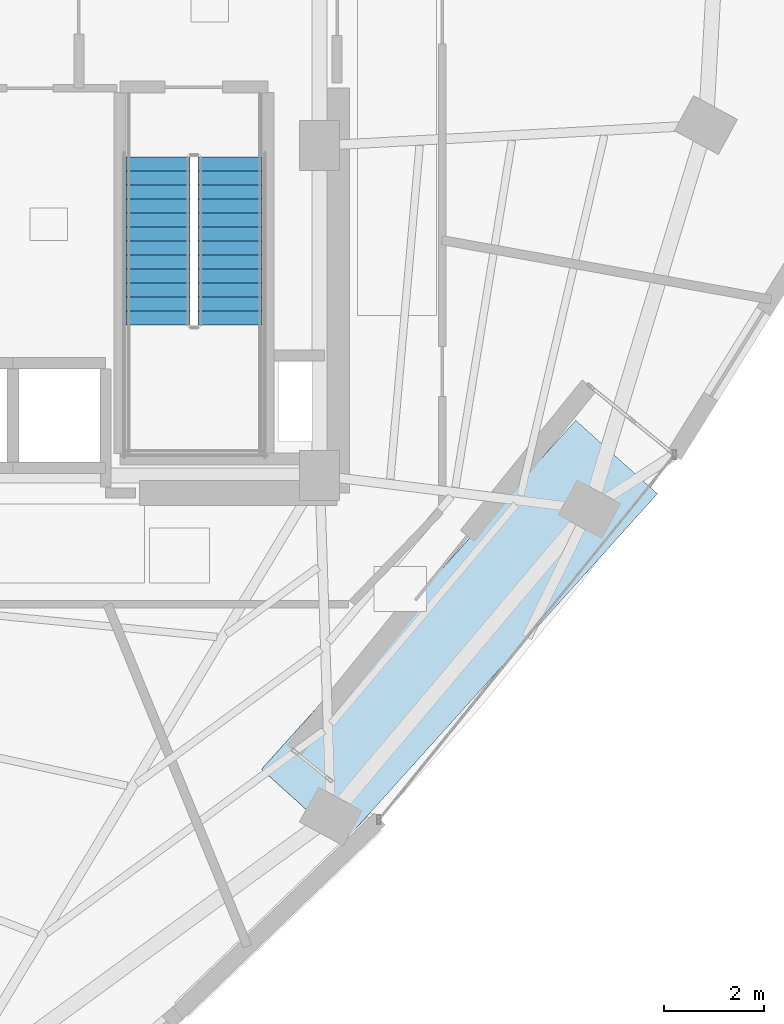
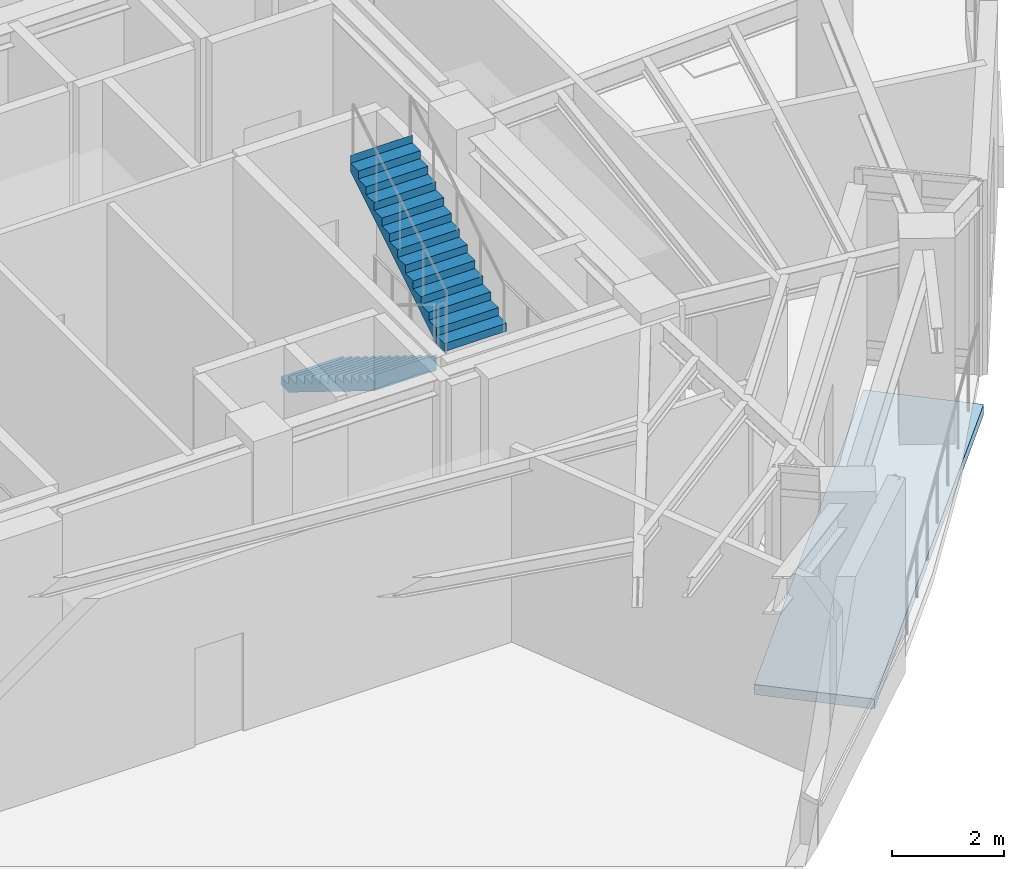
# One storey, part 11 of 14: 2 stair flights, 1 roof, 1 element without a shape of its own.
"""IFC4 building model written with IfcOpenShell, lengths in metres."""

from ifc_helpers import new_model, si_unit, direction, frame, origin, place, context, subcontext, project, spatial, polyline, outline, extrude, material, layer, layer_set, type_object, element, aggregate, save


model = new_model("IFC4")

# Units and contexts
model_context = context("Model", 3, precision=1e-05, world=origin(), true_north=direction((0.0, 1.0)))
body_context = subcontext(model_context, "Body", "Model", "MODEL_VIEW")
ifc_project = project(units=[si_unit("LENGTHUNIT", "METRE"), si_unit("AREAUNIT", "SQUARE_METRE"), si_unit("VOLUMEUNIT", "CUBIC_METRE"), si_unit("PLANEANGLEUNIT", "RADIAN"), si_unit("MASSUNIT", "GRAM", prefix="KILO")], contexts=[model_context])

# Site, building, storey
site_placement = place(None, origin())
site = spatial("IfcSite", under=ifc_project, at=site_placement, CompositionType="ELEMENT")
building_placement = place(site_placement, origin())
building = spatial("IfcBuilding", under=site, at=building_placement, Name="Ndelora Gate Hotel", CompositionType="ELEMENT")
storey_placement = place(building_placement, frame((0.0, 0.0, 178.25)))
storey = spatial("IfcBuildingStorey", under=building, at=storey_placement, Name="L44", CompositionType="ELEMENT", Elevation=178.25)

# Stair, stair flights
ifc_material_1 = material(Name="Precast concrete C40/50", Category="concrete")
stair_type = type_object("IfcStairType", Name="STR-DOG-CORE", PredefinedType="HALF_TURN_STAIR", material=ifc_material_1)
stair_placement = place(storey_placement, origin())
stair = element("IfcStair", 1, at=stair_placement, inside=storey, type_object=stair_type, Name="L44 Protected Core Exit Stair ST5", PredefinedType="HALF_TURN_STAIR")
stair_flight_type = type_object("IfcStairFlightType", Name="STF-PRECAST", PredefinedType="STRAIGHT", material=ifc_material_1)
stair_flight_1_placement = place(storey_placement, frame((4.77001953125, -0.22998046875, 0.0), z_axis=(0.0, 0.0, 1.0), x_axis=(0.0, -1.0, 0.0)))
stair_flight_1 = element("IfcStairFlight", 2, at=stair_flight_1_placement, type_object=stair_flight_type, Name="ST5 flight 1", NumberOfRisers=13, NumberOfTreads=12, PredefinedType="STRAIGHT", RiserHeight=0.173076923, TreadLength=0.28, context=body_context, shape_type="SweptSolid", body=[
    extrude(outline(polyline([(-0.00048828125, 0.0), (-0.00048828125, 0.173095703125), (0.0, 0.173095703125), (0.280029296875, 0.173095703125), (0.280029296875, 0.34619140625), (0.56005859375, 0.34619140625), (0.56005859375, 0.519287109375), (0.840087890625, 0.519287109375), (0.840087890625, 0.6923828125), (1.1201171875, 0.6923828125), (1.1201171875, 0.865478515625), (1.39990234375, 0.865478515625), (1.39990234375, 1.03857421875), (1.679931640625, 1.03857421875), (1.679931640625, 1.21142578125), (1.9599609375, 1.21142578125), (1.9599609375, 1.384521484375), (2.239990234375, 1.384521484375), (2.239990234375, 1.5576171875), (2.52001953125, 1.5576171875), (2.52001953125, 1.730712890625), (2.800048828125, 1.730712890625), (2.800048828125, 1.90380859375), (3.080078125, 1.90380859375), (3.080078125, 2.076904296875), (3.360107421875, 2.076904296875), (3.360107421875, 2.25), (3.360595703125, 2.25), (3.360595703125, 2.070068359375), (3.360107421875, 1.900634765625), (0.28515625, 0.0), (-0.00048828125, 0.0)])), frame((0.0, 0.64013671875, 0.0), z_axis=(0.0, -1.0, 0.0), x_axis=(1.0, 0.0, 0.0)), (0.0, 0.0, 1.0), 1.280029296875),
])
stair_flight_2_placement = place(storey_placement, frame((6.2099609375, -3.590087890625, 2.25), z_axis=(0.0, 0.0, 1.0), x_axis=(0.0, 1.0, 0.0)))
stair_flight_2 = element("IfcStairFlight", 3, at=stair_flight_2_placement, type_object=stair_flight_type, Name="ST5 flight 2", NumberOfRisers=13, NumberOfTreads=12, PredefinedType="STRAIGHT", RiserHeight=0.173076923, TreadLength=0.28, context=body_context, shape_type="SweptSolid", body=[
    extrude(outline(polyline([(-0.00048828125, 0.0), (-0.00048828125, 0.173095703125), (0.0, 0.173095703125), (0.280029296875, 0.173095703125), (0.280029296875, 0.34619140625), (0.56005859375, 0.34619140625), (0.56005859375, 0.519287109375), (0.840087890625, 0.519287109375), (0.840087890625, 0.6923828125), (1.1201171875, 0.6923828125), (1.1201171875, 0.865478515625), (1.39990234375, 0.865478515625), (1.39990234375, 1.03857421875), (1.679931640625, 1.03857421875), (1.679931640625, 1.21142578125), (1.9599609375, 1.21142578125), (1.9599609375, 1.384521484375), (2.239990234375, 1.384521484375), (2.239990234375, 1.5576171875), (2.52001953125, 1.5576171875), (2.52001953125, 1.730712890625), (2.800048828125, 1.730712890625), (2.800048828125, 1.90380859375), (3.080078125, 1.90380859375), (3.080078125, 2.076904296875), (3.360107421875, 2.076904296875), (3.360107421875, 2.25), (3.360595703125, 2.25), (3.360595703125, 2.070068359375), (3.360107421875, 1.900634765625), (0.28515625, 0.0), (-0.00048828125, 0.0)])), frame((0.0, 0.64013671875, 0.0), z_axis=(0.0, -1.0, 0.0), x_axis=(1.0, 0.0, 0.0)), (0.0, 0.0, 1.0), 1.280029296875),
])
aggregate(stair, [stair_flight_1, stair_flight_2])

# Roof
ifc_material_2 = material(Name="Architectural Bronze Clad Steel Canopy", Category="steel")
ifc_layer = layer(ifc_material_2, 0.219970703125)
ifc_layer_set = layer_set([ifc_layer], Name="Architectural Bronze Clad Steel Canopy")
roof_type = type_object("IfcRoofType", Name="RF-CANOPY-200", PredefinedType="PAVILION_ROOF", material=ifc_layer_set)
roof_placement = place(storey_placement, frame((0.0, 0.0, -0.2900390625)))
element("IfcRoof", 4, at=roof_placement, inside=storey, type_object=roof_type, Name="L44 Sky-Garden Feature Weather Canopy", PredefinedType="PAVILION_ROOF", context=body_context, shape_type="SweptSolid", body=[
    extrude(outline(polyline([(6.83544921875, -12.47900390625), (8.470458984375, -13.951171875), (14.76025390625, -6.9658203125), (13.125244140625, -5.49365234375), (6.83544921875, -12.47900390625)])), origin(), (0.0, 0.0, 1.0), 0.219970703125),
])

save(model, "model.ifc")
